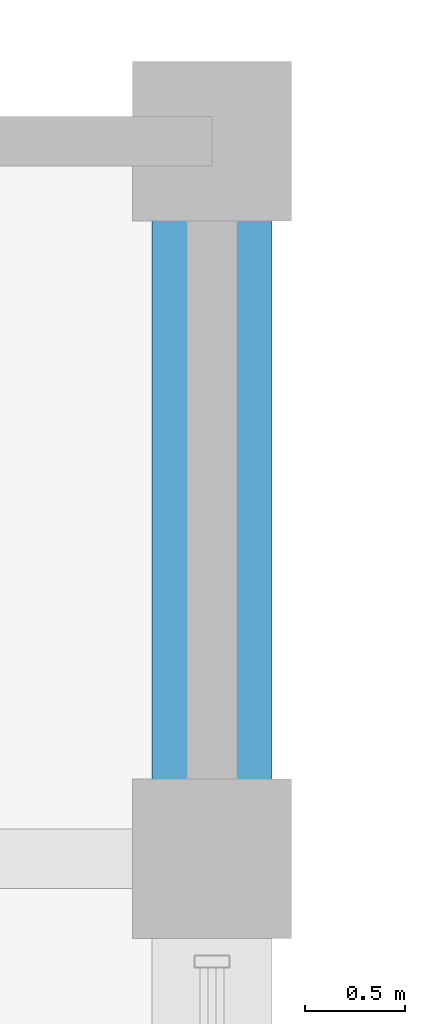
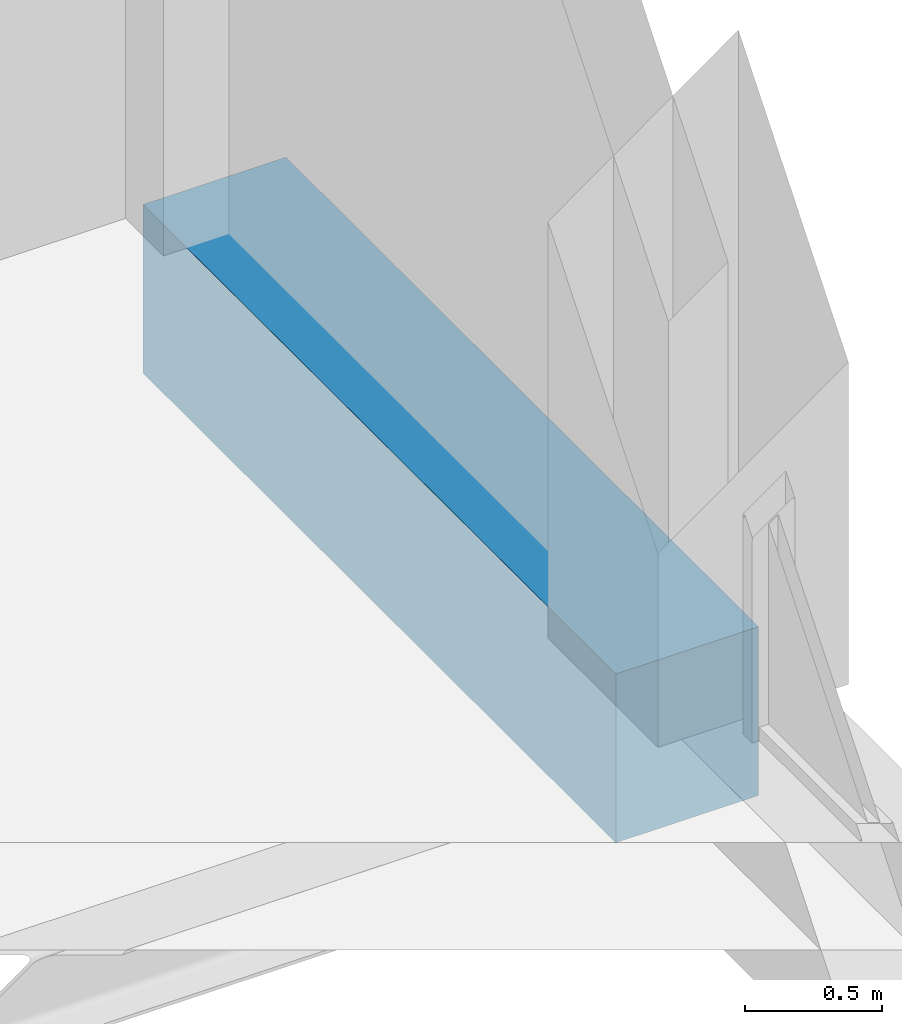
# One storey, part 10 of 17: 1 beam.
"""IFC4 building model written with IfcOpenShell, lengths in metres."""

from ifc_helpers import new_model, si_unit, direction, frame, origin, origin_2d, place, context, subcontext, project, spatial, rectangle, extrude, material, material_profile, profile_set, type_object, element, save


model = new_model("IFC4")

# Units and contexts
model_context = context("Model", 3, precision=1e-05, world=origin(), true_north=direction((0.0, 1.0)))
body_context = subcontext(model_context, "Body", "Model", "MODEL_VIEW")
ifc_project = project(units=[si_unit("LENGTHUNIT", "METRE"), si_unit("AREAUNIT", "SQUARE_METRE"), si_unit("VOLUMEUNIT", "CUBIC_METRE"), si_unit("PLANEANGLEUNIT", "RADIAN"), si_unit("MASSUNIT", "GRAM", prefix="KILO")], contexts=[model_context])

# Site, building, storey
site_placement = place(None, origin())
site = spatial("IfcSite", under=ifc_project, at=site_placement, CompositionType="ELEMENT")
building_placement = place(site_placement, origin())
building = spatial("IfcBuilding", under=site, at=building_placement, Name="Solnavia Interchange Tower", CompositionType="ELEMENT")
storey_placement = place(building_placement, frame((0.0, 0.0, 249.800048828125)))
storey = spatial("IfcBuildingStorey", under=building, at=storey_placement, Name="L63", CompositionType="ELEMENT", Elevation=249.800048828125)

# Beam
ifc_material = material(Name="Concrete C50/60", Category="concrete")
ifc_material_profile = material_profile(ifc_material, rectangle(XDim=0.60009765625, YDim=0.75, at=origin_2d()), Name="RC 600x750")
ifc_profile_set = profile_set([ifc_material_profile], Name="Concrete C50/60")
beam_type = type_object("IfcBeamType", Name="Beam-Spandrel-RC600x750", PredefinedType="SPANDREL", material=ifc_profile_set)
beam_placement = place(storey_placement, frame((25.199951171875, 28.8798828125, -0.375), z_axis=(0.0, 1.0, 0.0), x_axis=(-1.0, 0.0, 0.0)))
element("IfcBeam", 1, at=beam_placement, inside=storey, type_object=beam_type, Name="SPB-L63-19 Framed-tube perimeter spandrel beam", PredefinedType="SPANDREL", context=body_context, shape_type="SweptSolid", body=[
    extrude(rectangle(XDim=0.60009765625, YDim=0.75, at=origin_2d()), origin(), (0.0, 0.0, 1.0), 3.440185546875),
])

save(model, "model.ifc")
